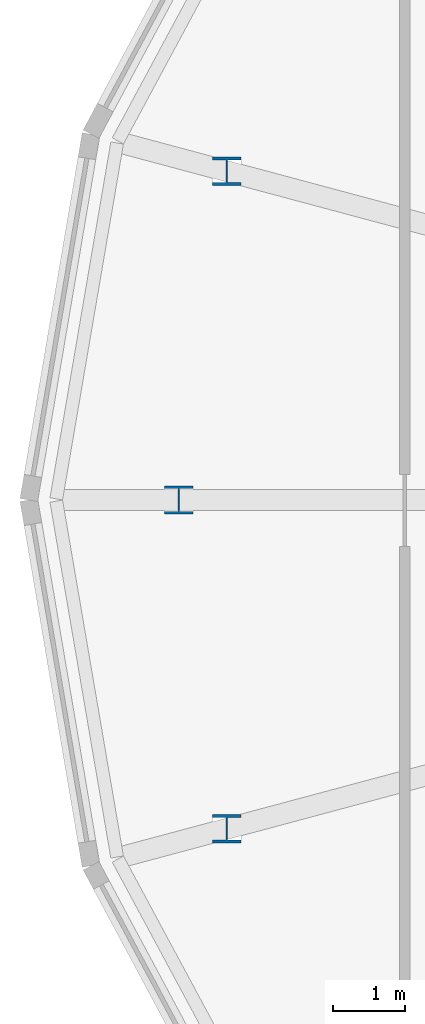
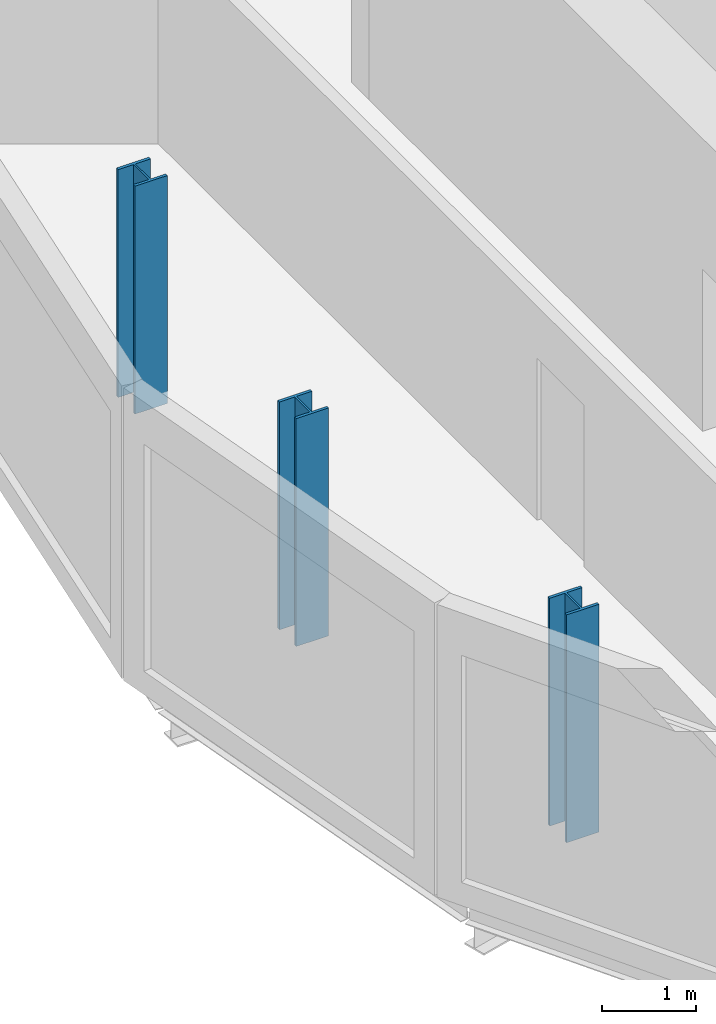
# One storey, part 1 of 38: 3 columns.
"""IFC4 building model written with IfcOpenShell, lengths in metres."""

from ifc_helpers import new_model, si_unit, direction, frame, origin, origin_2d, place, context, subcontext, project, spatial, i_section, extrude, material, material_profile, profile_set, type_object, element, save


model = new_model("IFC4")

# Units and contexts
model_context = context("Model", 3, precision=1e-05, world=origin(), true_north=direction((0.0, 1.0)))
body_context = subcontext(model_context, "Body", "Model", "MODEL_VIEW")
ifc_project = project(units=[si_unit("LENGTHUNIT", "METRE"), si_unit("AREAUNIT", "SQUARE_METRE"), si_unit("VOLUMEUNIT", "CUBIC_METRE"), si_unit("PLANEANGLEUNIT", "RADIAN"), si_unit("MASSUNIT", "GRAM", prefix="KILO")], contexts=[model_context])

# Site, building, storey
site_placement = place(None, origin())
site = spatial("IfcSite", under=ifc_project, at=site_placement, CompositionType="ELEMENT")
building_placement = place(site_placement, origin())
building = spatial("IfcBuilding", under=site, at=building_placement, Name="Rimbun Link Towers", CompositionType="ELEMENT")
storey_placement = place(building_placement, frame((0.0, 0.0, 119.60009765625)))
storey = spatial("IfcBuildingStorey", under=building, at=storey_placement, Name="L29", CompositionType="ELEMENT", Elevation=119.60009765625)

# Columns
ifc_material = material(Name="Steel S355J2", Category="steel")
ifc_material_profile = material_profile(ifc_material, i_section(OverallWidth=0.39892578125, OverallDepth=0.3935546875, WebThickness=0.022705078125, FlangeThickness=0.03662109375, at=origin_2d()), Name="UC 356x406x287")
ifc_profile_set = profile_set([ifc_material_profile], Name="Steel S355J2")
column_type = type_object("IfcColumnType", Name="UC 356x406x287", PredefinedType="COLUMN", material=ifc_profile_set)
for number, where, z_axis, x_axis, name in (
    (1, (-48.88232421875, 4.590576171875, -0.16015625), (0.0, 0.0, 1.0), (1.0, 0.0, 0.0), "Crease post T1 L29 11"),
    (2, (-49.55224609375, 0.0, -0.16015625), (0.0, 0.0, 1.0), (1.0, 0.0, 0.0), "Crease post T1 L29 12"),
    (3, (-48.88232421875, -4.590576171875, -0.16015625), (0.0, 0.0, 1.0), (1.0, 0.0, 0.0), "Crease post T1 L29 13"),
):
    element("IfcColumn", number, at=place(storey_placement, frame(where, z_axis=z_axis, x_axis=x_axis)), inside=storey, type_object=column_type, Name=name, PredefinedType="COLUMN", context=body_context, shape_type="SweptSolid", body=[
        extrude(i_section(OverallWidth=0.39892578125, OverallDepth=0.3935546875, WebThickness=0.022705078125, FlangeThickness=0.03662109375, at=origin_2d()), origin(), (0.0, 0.0, 1.0), 2.95947265625),
    ])

save(model, "model.ifc")
